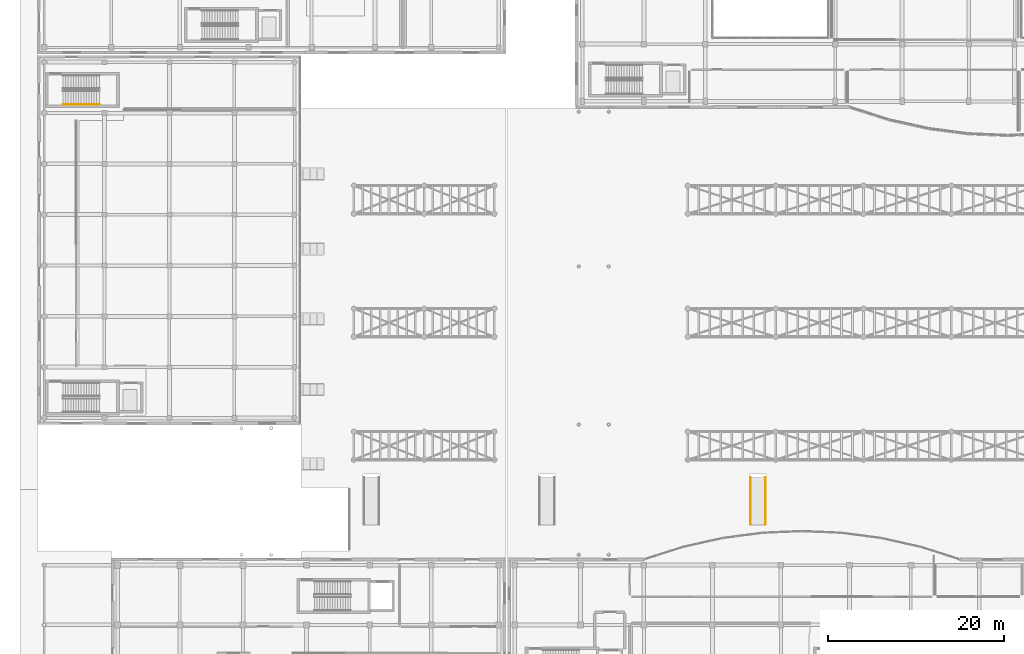
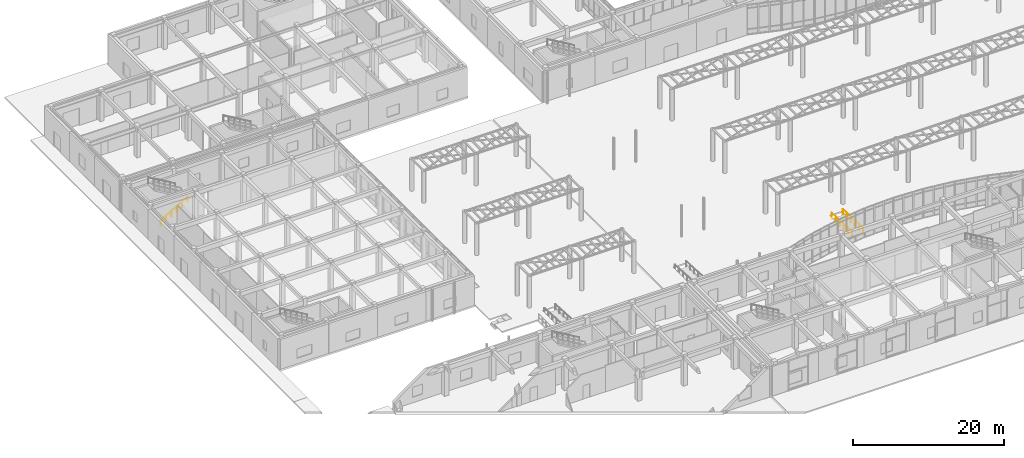
# One storey, part 116 of 121: 3 railings.
"""IFC4 building model written with IfcOpenShell, lengths in metres."""

from ifc_helpers import new_model, si_unit, direction, frame, origin, origin_2d, place, context, subcontext, project, spatial, circle, extrude, material, type_object, element, save


model = new_model("IFC4")

# Units and contexts
model_context = context("Model", 3, precision=1e-05, world=origin(), true_north=direction((0.0, 1.0)))
body_context = subcontext(model_context, "Body", "Model", "MODEL_VIEW")
ifc_project = project(units=[si_unit("LENGTHUNIT", "METRE"), si_unit("AREAUNIT", "SQUARE_METRE"), si_unit("VOLUMEUNIT", "CUBIC_METRE"), si_unit("PLANEANGLEUNIT", "RADIAN"), si_unit("MASSUNIT", "GRAM", prefix="KILO")], contexts=[model_context])

# Site, building, storey
site_placement = place(None, origin())
site = spatial("IfcSite", under=ifc_project, at=site_placement, CompositionType="ELEMENT")
building_placement = place(site_placement, origin())
building = spatial("IfcBuilding", under=site, at=building_placement, Name="Valcora Specialist Clinic", CompositionType="ELEMENT")
storey_placement = place(building_placement, origin())
storey = spatial("IfcBuildingStorey", under=building, at=storey_placement, Name="L00", CompositionType="ELEMENT", Elevation=0.0)

# Railings
ifc_material = material(Name="Stainless Steel AISI 316", Category="steel")
railing_type = type_object("IfcRailingType", Name="TY-RL-HND092", PredefinedType="HANDRAIL", material=ifc_material)
railing_placement = place(storey_placement, frame((2.89990234375, 74.449951171875, 0.169921875)))
element("IfcRailing", 1, at=railing_placement, inside=storey, type_object=railing_type, Name="L00 ST-V1B stair handrail 1", PredefinedType="HANDRAIL", context=body_context, shape_type="SweptSolid", body=[
    extrude(circle(Radius=0.02392578125, at=origin_2d()), frame((0.0, 0.0, 0.89599609375), z_axis=(0.866425082981, 0.0, 0.499307095465), x_axis=(0.0, 1.0, 0.0)), (0.0, 0.0, 1.0), 4.766845703125),
    extrude(circle(Radius=0.02099609375, at=origin_2d()), origin(), (0.0, 0.0, 1.0), 0.871826171875),
    extrude(circle(Radius=0.02099609375, at=origin_2d()), frame((0.825927734375, 0.0, 0.47607421875)), (0.0, 0.0, 1.0), 0.871826171875),
    extrude(circle(Radius=0.02099609375, at=origin_2d()), frame((1.652099609375, 0.0, 0.9521484375)), (0.0, 0.0, 1.0), 0.871826171875),
    extrude(circle(Radius=0.02099609375, at=origin_2d()), frame((2.47802734375, 0.0, 1.427978515625)), (0.0, 0.0, 1.0), 0.871826171875),
    extrude(circle(Radius=0.02099609375, at=origin_2d()), frame((3.30419921875, 0.0, 1.904052734375)), (0.0, 0.0, 1.0), 0.871826171875),
    extrude(circle(Radius=0.02099609375, at=origin_2d()), frame((4.130126953125, 0.0, 2.380126953125)), (0.0, 0.0, 1.0), 0.871826171875),
])
for number, where, name in (
    (2, (81.14990234375, 32.0, -0.300048828125), "Ramp handrail RM-PED-03 L"),
    (3, (82.85009765625, 32.0, -0.300048828125), "Ramp handrail RM-PED-03 R"),
):
    element("IfcRailing", number, at=place(storey_placement, frame(where)), inside=storey, type_object=railing_type, Name=name, PredefinedType="HANDRAIL", context=body_context, shape_type="SweptSolid", body=[
        extrude(circle(Radius=0.02392578125, at=origin_2d()), frame((0.0, 0.0, 0.89599609375), z_axis=(0.0, -0.998459797556, 0.0554800204), x_axis=(1.0, 0.0, 0.0)), (0.0, 0.0, 1.0), 5.408203125),
        extrude(circle(Radius=0.02099609375, at=origin_2d()), origin(), (0.0, 0.0, 1.0), 0.871826171875),
        extrude(circle(Radius=0.02099609375, at=origin_2d()), frame((0.0, -1.080078125, 0.06005859375)), (0.0, 0.0, 1.0), 0.871826171875),
        extrude(circle(Radius=0.02099609375, at=origin_2d()), frame((0.0, -2.159912109375, 0.1201171875)), (0.0, 0.0, 1.0), 0.871826171875),
        extrude(circle(Radius=0.02099609375, at=origin_2d()), frame((0.0, -3.239990234375, 0.179931640625)), (0.0, 0.0, 1.0), 0.871826171875),
        extrude(circle(Radius=0.02099609375, at=origin_2d()), frame((0.0, -4.31982421875, 0.239990234375)), (0.0, 0.0, 1.0), 0.871826171875),
        extrude(circle(Radius=0.02099609375, at=origin_2d()), frame((0.0, -5.39990234375, 0.300048828125)), (0.0, 0.0, 1.0), 0.871826171875),
    ])

save(model, "model.ifc")
